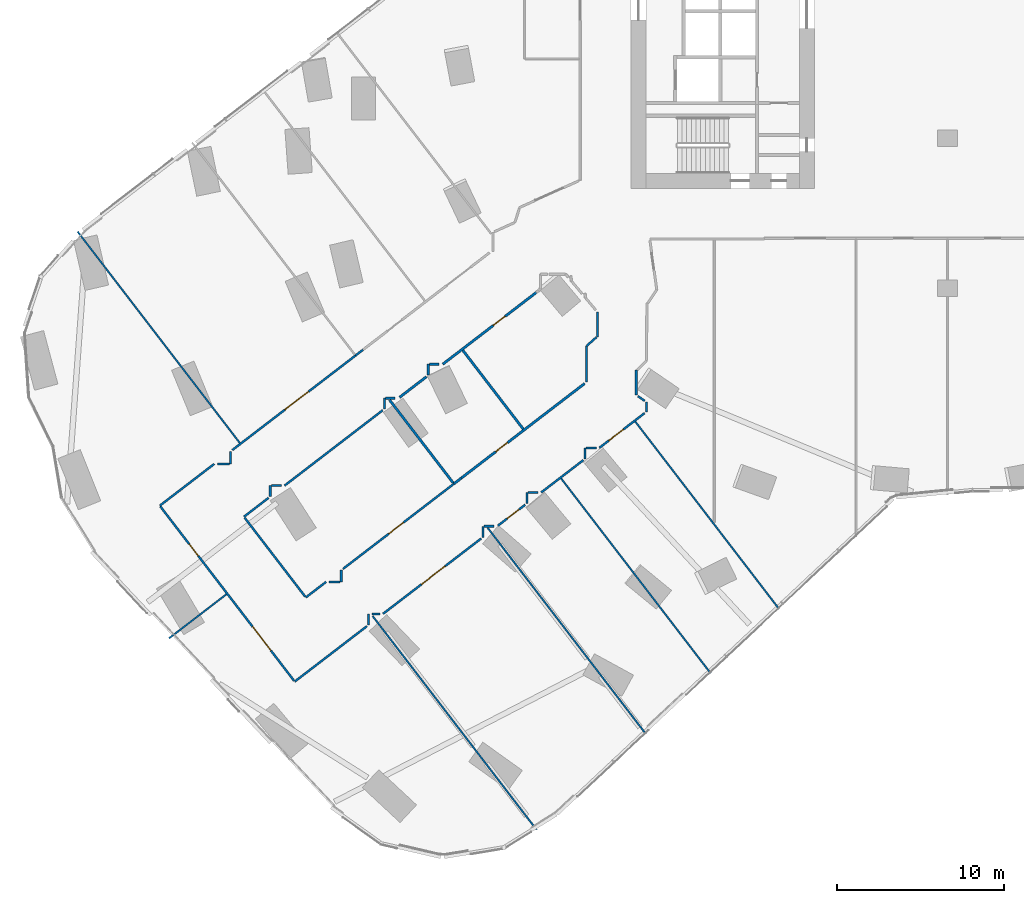
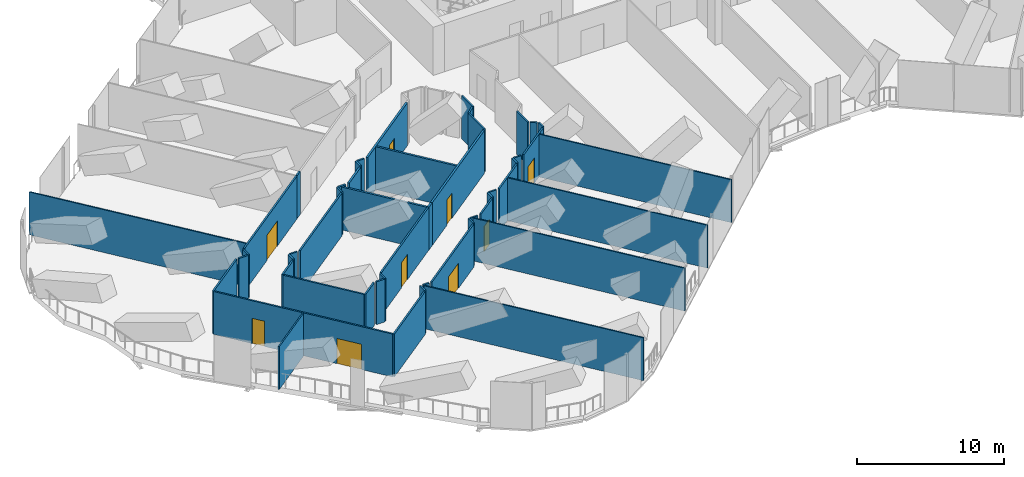
# One storey, part 22 of 32: 50 walls, 9 doors, 9 openings.
"""IFC4 building model written with IfcOpenShell, lengths in metres."""

from ifc_helpers import new_model, si_unit, direction, frame, frame_2d, origin, place, context, subcontext, project, spatial, rectangle, extrude, material, layer, layer_set, type_object, element, fill, save


model = new_model("IFC4")

# Units and contexts
model_context = context("Model", 3, precision=1e-05, world=origin(), true_north=direction((0.0, 1.0)))
body_context = subcontext(model_context, "Body", "Model", "MODEL_VIEW")
ifc_project = project(units=[si_unit("LENGTHUNIT", "METRE"), si_unit("AREAUNIT", "SQUARE_METRE"), si_unit("VOLUMEUNIT", "CUBIC_METRE"), si_unit("PLANEANGLEUNIT", "RADIAN"), si_unit("MASSUNIT", "GRAM", prefix="KILO")], contexts=[model_context])

# Site, building, storey
site_placement = place(None, origin())
site = spatial("IfcSite", under=ifc_project, at=site_placement, CompositionType="ELEMENT")
building_placement = place(site_placement, origin())
building = spatial("IfcBuilding", under=site, at=building_placement, Name="Orlundy Tower", CompositionType="ELEMENT")
storey_placement = place(building_placement, frame((0.0, 0.0, 33.300048828125)))
storey = spatial("IfcBuildingStorey", under=building, at=storey_placement, Name="L06", CompositionType="ELEMENT", Elevation=33.300048828125)

# Walls
ifc_material_1 = material(Name="Gypsum board partition")
ifc_layer_1 = layer(ifc_material_1, 0.10009765625)
ifc_layer_set_1 = layer_set([ifc_layer_1], Name="Floor partition 100")
wall_type_1 = type_object("IfcWallType", Name="Floor partition 100", PredefinedType="PARTITIONING", material=ifc_layer_set_1)
wall_1_placement = place(storey_placement, frame((-52.199951171875, -14.59912109375, 0.0), z_axis=(0.0, 0.0, 1.0), x_axis=(0.608803805545, -0.793320821833, 0.0)))
element("IfcWall", 1, at=wall_1_placement, inside=storey, type_object=wall_type_1, Name="wall-int-L06-015", PredefinedType="PARTITIONING", context=body_context, shape_type="SweptSolid", body=[
    extrude(rectangle(XDim=15.982177734375, YDim=0.10009765625, at=frame_2d((7.9912109375, 0.0))), origin(), (0.0, 0.0, 1.0), 3.56005859375),
])
wall_2_placement = place(storey_placement, frame((-34.5009765625, -37.6640625, 0.0), z_axis=(0.0, 0.0, 1.0), x_axis=(0.608768597096, -0.793347839973, 0.0)))
element("IfcWall", 2, at=wall_2_placement, inside=storey, type_object=wall_type_1, Name="wall-int-L06-016", PredefinedType="PARTITIONING", context=body_context, shape_type="SweptSolid", body=[
    extrude(rectangle(XDim=16.161865234375, YDim=0.10009765625, at=frame_2d((8.0810546875, 0.0))), origin(), (0.0, 0.0, 1.0), 3.56005859375),
])
wall_3_placement = place(storey_placement, frame((-27.59912109375, -32.367919921875, 0.0), z_axis=(0.0, 0.0, 1.0), x_axis=(0.608787633684, -0.793333232049, 0.0)))
element("IfcWall", 3, at=wall_3_placement, inside=storey, type_object=wall_type_1, Name="wall-int-L06-019", PredefinedType="PARTITIONING", context=body_context, shape_type="SweptSolid", body=[
    extrude(rectangle(XDim=15.599853515625, YDim=0.10009765625, at=frame_2d((7.7998046875, 0.0))), origin(), (0.0, 0.0, 1.0), 3.56005859375),
])
wall_4_placement = place(storey_placement, frame((-23.18994140625, -29.407958984375, 0.0), z_axis=(0.0, 0.0, 1.0), x_axis=(0.608771263508, -0.793345793917, 0.0)))
element("IfcWall", 4, at=wall_4_placement, inside=storey, type_object=wall_type_1, Name="wall-int-L06-022", PredefinedType="PARTITIONING", context=body_context, shape_type="SweptSolid", body=[
    extrude(rectangle(XDim=14.73779296875, YDim=0.10009765625, at=frame_2d((7.368896484375, 0.0))), origin(), (0.0, 0.0, 1.0), 3.56005859375),
])
wall_5_placement = place(storey_placement, frame((-18.741943359375, -25.9951171875, 0.0), z_axis=(0.0, 0.0, 1.0), x_axis=(0.608756044644, -0.79335747183, 0.0)))
element("IfcWall", 5, at=wall_5_placement, inside=storey, type_object=wall_type_1, Name="wall-int-L06-024", PredefinedType="PARTITIONING", context=body_context, shape_type="SweptSolid", body=[
    extrude(rectangle(XDim=14.181396484375, YDim=0.10009765625, at=frame_2d((7.0908203125, 0.0))), origin(), (0.0, 0.0, 1.0), 3.56005859375),
])
wall_6_placement = place(storey_placement, frame((-46.714111328125, -38.99609375, 0.0), z_axis=(0.0, 0.0, 1.0), x_axis=(0.793309958448, 0.608817961157, 0.0)))
element("IfcWall", 6, at=wall_6_placement, inside=storey, type_object=wall_type_1, Name="wall-int-L06-103", PredefinedType="PARTITIONING", context=body_context, shape_type="SweptSolid", body=[
    extrude(rectangle(XDim=4.33642578125, YDim=0.10009765625, at=frame_2d((2.168212890625, 0.0))), origin(), (0.0, 0.0, 1.0), 3.56005859375),
])

# Wall, openings, doors
ifc_material_2 = material(Name="Gypsum board partition, double layer")
ifc_layer_2 = layer(ifc_material_2, 0.125)
ifc_layer_set_2 = layer_set([ifc_layer_2], Name="Floor partition 125")
wall_type_2 = type_object("IfcWallType", Name="Floor partition 125", PredefinedType="PARTITIONING", material=ifc_layer_set_2)
wall_7_placement = place(storey_placement, frame((-39.218017578125, -41.5400390625, 0.0), z_axis=(0.0, 0.0, 1.0), x_axis=(-0.608705901591, 0.79339594489, 0.0)))
wall_7 = element("IfcWall", 7, at=wall_7_placement, inside=storey, type_object=wall_type_2, Name="wall-int-L06-013", PredefinedType="PARTITIONING", context=body_context, shape_type="SweptSolid", body=[
    extrude(rectangle(XDim=13.168701171875, YDim=0.125, at=frame_2d((6.58447265625, 0.0))), origin(), (0.0, 0.0, 1.0), 3.56005859375),
])
opening_1_placement = place(wall_7_placement, frame((2.28076171875, 0.0, 0.0)))
opening_1 = element("IfcOpeningElement", 8, at=opening_1_placement, cuts=wall_7, Name="Opening 07114", PredefinedType="OPENING", context=body_context, shape_type="SweptSolid", body=[
    extrude(rectangle(XDim=1.800048828125, YDim=2.10009765625, at=frame_2d((0.89990234375, 1.050048828125))), frame((0.0, 0.072509765625, 0.0), z_axis=(0.0, -1.0, 0.0), x_axis=(1.0, 0.0, 0.0)), (0.0, 0.0, 1.0), 0.14501953125),
])
opening_2_placement = place(wall_7_placement, frame((9.431396484375, 0.0, 0.0)))
opening_2 = element("IfcOpeningElement", 9, at=opening_2_placement, cuts=wall_7, Name="Opening 07115", PredefinedType="OPENING", context=body_context, shape_type="SweptSolid", body=[
    extrude(rectangle(XDim=0.89990234375, YDim=2.10009765625, at=frame_2d((0.449951171875, 1.050048828125))), frame((0.0, 0.072509765625, 0.0), z_axis=(0.0, -1.0, 0.0), x_axis=(1.0, 0.0, 0.0)), (0.0, 0.0, 1.0), 0.14501953125),
])
ifc_material_3 = material(Name="Timber door leaf", Category="wood")
door_type_1 = type_object("IfcDoorType", Name="Floor door double 1800 FD30S", OperationType="NOTDEFINED", PredefinedType="DOOR", material=ifc_material_3)
door_1_placement = place(opening_1_placement, origin())
door_1 = element("IfcDoor", 10, at=door_1_placement, inside=storey, type_object=door_type_1, Name="Door 07114", OperationType="DOUBLE_DOOR_SINGLE_SWING", OverallHeight=2.10009765625, OverallWidth=1.800048828125, PredefinedType="DOOR", context=body_context, shape_type="SweptSolid", body=[
    extrude(rectangle(XDim=1.800048828125, YDim=2.10009765625, at=frame_2d((0.89990234375, 1.050048828125))), frame((0.0, 0.02490234375, 0.0), z_axis=(0.0, -1.0, 0.0), x_axis=(1.0, 0.0, 0.0)), (0.0, 0.0, 1.0), 0.050048828125),
])
fill(opening_1, door_1)
ifc_material_4 = material(Name="Timber door leaf", Category="wood")
door_type_2 = type_object("IfcDoorType", Name="Floor door single 900 FD30S", OperationType="NOTDEFINED", PredefinedType="DOOR", material=ifc_material_4)
door_2_placement = place(opening_2_placement, origin())
door_2 = element("IfcDoor", 11, at=door_2_placement, inside=storey, type_object=door_type_2, Name="Door 07115", OperationType="SINGLE_SWING_RIGHT", OverallHeight=2.10009765625, OverallWidth=0.89990234375, PredefinedType="DOOR", context=body_context, shape_type="SweptSolid", body=[
    extrude(rectangle(XDim=0.89990234375, YDim=2.10009765625, at=frame_2d((0.449951171875, 1.050048828125))), frame((0.0, 0.02490234375, 0.0), z_axis=(0.0, -1.0, 0.0), x_axis=(1.0, 0.0, 0.0)), (0.0, 0.0, 1.0), 0.050048828125),
])
fill(opening_2, door_2)

# Walls
wall_8_placement = place(storey_placement, frame((-42.18505859375, -31.757080078125, 0.0), z_axis=(0.0, 0.0, 1.0), x_axis=(0.608799639809, -0.793324018651, 0.0)))
element("IfcWall", 12, at=wall_8_placement, inside=storey, type_object=wall_type_2, Name="wall-int-L06-014", PredefinedType="PARTITIONING", context=body_context, shape_type="SweptSolid", body=[
    extrude(rectangle(XDim=5.972412109375, YDim=0.125, at=frame_2d((2.986328125, 0.0))), origin(), (0.0, 0.0, 1.0), 3.56005859375),
])
wall_9_placement = place(storey_placement, frame((-18.5859375, -24.470947265625, 0.0), z_axis=(0.0, 0.0, 1.0), x_axis=(0.8260511917, -0.563595092855, 0.0)))
element("IfcWall", 13, at=wall_9_placement, inside=storey, type_object=wall_type_2, Name="wall-int-L06-036", PredefinedType="PARTITIONING", context=body_context, shape_type="SweptSolid", body=[
    extrude(rectangle(XDim=0.49853515625, YDim=0.125, at=frame_2d((0.249267578125, 0.0))), origin(), (0.0, 0.0, 1.0), 3.56005859375),
])
wall_10_placement = place(storey_placement, frame((-34.541015625, -37.531005859375, 0.0), z_axis=(0.0, 0.0, 1.0), x_axis=(1.0, 0.0, 0.0)))
element("IfcWall", 14, at=wall_10_placement, inside=storey, type_object=wall_type_2, Name="wall-int-L06-048", PredefinedType="PARTITIONING", context=body_context, shape_type="SweptSolid", body=[
    extrude(rectangle(XDim=0.47705078125, YDim=0.125, at=frame_2d((0.238525390625, 0.0))), origin(), (0.0, 0.0, 1.0), 3.56005859375),
])
wall_11_placement = place(storey_placement, frame((-37.10693359375, -35.60888671875, 0.0), z_axis=(0.0, 0.0, 1.0), x_axis=(1.0, 0.0, 0.0)))
element("IfcWall", 15, at=wall_11_placement, inside=storey, type_object=wall_type_2, Name="wall-int-L06-049", PredefinedType="PARTITIONING", context=body_context, shape_type="SweptSolid", body=[
    extrude(rectangle(XDim=0.659912109375, YDim=0.125, at=frame_2d((0.330078125, 0.0))), origin(), (0.0, 0.0, 1.0), 3.56005859375),
])
wall_12_placement = place(storey_placement, frame((-27.825927734375, -32.27490234375, 0.0), z_axis=(0.0, 0.0, 1.0), x_axis=(1.0, 0.0, 0.0)))
element("IfcWall", 16, at=wall_12_placement, inside=storey, type_object=wall_type_2, Name="wall-int-L06-051", PredefinedType="PARTITIONING", context=body_context, shape_type="SweptSolid", body=[
    extrude(rectangle(XDim=0.61083984375, YDim=0.125, at=frame_2d((0.305419921875, 0.0))), origin(), (0.0, 0.0, 1.0), 3.56005859375),
])
for number, where, z_axis, x_axis, name in (
    (17, (-25.18310546875, -30.24609375, 0.0), (0.0, 0.0, 1.0), (1.0, 0.0, 0.0), "wall-int-L06-053"),
    (18, (-40.5810546875, -29.8349609375, 0.0), (0.0, 0.0, 1.0), (1.0, 0.0, 0.0), "wall-int-L06-054"),
):
    element("IfcWall", number, at=place(storey_placement, frame(where, z_axis=z_axis, x_axis=x_axis)), inside=storey, type_object=wall_type_2, Name=name, PredefinedType="PARTITIONING", context=body_context, shape_type="SweptSolid", body=[
        extrude(rectangle(XDim=0.613037109375, YDim=0.125, at=frame_2d((0.306640625, 0.0))), origin(), (0.0, 0.0, 1.0), 3.56005859375),
    ])
wall_13_placement = place(storey_placement, frame((-43.821044921875, -28.533935546875, 0.0), z_axis=(0.0, 0.0, 1.0), x_axis=(1.0, 0.0, 0.0)))
element("IfcWall", 19, at=wall_13_placement, inside=storey, type_object=wall_type_2, Name="wall-int-L06-055", PredefinedType="PARTITIONING", context=body_context, shape_type="SweptSolid", body=[
    extrude(rectangle(XDim=0.738037109375, YDim=0.125, at=frame_2d((0.369140625, 0.0))), origin(), (0.0, 0.0, 1.0), 3.56005859375),
])
wall_14_placement = place(storey_placement, frame((-21.69189453125, -27.568115234375, 0.0), z_axis=(0.0, 0.0, 1.0), x_axis=(1.0, 0.0, 0.0)))
element("IfcWall", 20, at=wall_14_placement, inside=storey, type_object=wall_type_2, Name="wall-int-L06-056", PredefinedType="PARTITIONING", context=body_context, shape_type="SweptSolid", body=[
    extrude(rectangle(XDim=0.61181640625, YDim=0.125, at=frame_2d((0.305908203125, 0.0))), origin(), (0.0, 0.0, 1.0), 3.56005859375),
])
wall_15_placement = place(storey_placement, frame((-21.660888671875, -21.45703125, 0.0), z_axis=(0.0, 0.0, 1.0), x_axis=(0.746332821082, 0.665572926264, 0.0)))
element("IfcWall", 21, at=wall_15_placement, inside=storey, type_object=wall_type_2, Name="wall-int-L06-069", PredefinedType="PARTITIONING", context=body_context, shape_type="SweptSolid", body=[
    extrude(rectangle(XDim=0.7890625, YDim=0.125, at=frame_2d((0.39453125, 0.0))), origin(), (0.0, 0.0, 1.0), 3.56005859375),
])
wall_16_placement = place(storey_placement, frame((-39.175048828125, -41.593994140625, 0.0), z_axis=(0.0, 0.0, 1.0), x_axis=(0.793282735045, 0.608853432511, 0.0)))
element("IfcWall", 22, at=wall_16_placement, inside=storey, type_object=wall_type_2, Name="wall-int-L06-094", PredefinedType="PARTITIONING", context=body_context, shape_type="SweptSolid", body=[
    extrude(rectangle(XDim=5.4658203125, YDim=0.125, at=frame_2d((2.73291015625, 0.0))), origin(), (0.0, 0.0, 1.0), 3.56005859375),
])

# Wall, opening, door
wall_17_placement = place(storey_placement, frame((-27.990966796875, -33.011962890625, 0.0), z_axis=(0.0, 0.0, 1.0), x_axis=(-0.793332599064, -0.608788458549, 0.0)))
wall_17 = element("IfcWall", 23, at=wall_17_placement, inside=storey, type_object=wall_type_2, Name="wall-int-L06-095", PredefinedType="PARTITIONING", context=body_context, shape_type="SweptSolid", body=[
    extrude(rectangle(XDim=7.423095703125, YDim=0.125, at=frame_2d((3.71142578125, 0.0))), origin(), (0.0, 0.0, 1.0), 3.56005859375),
])
opening_3_placement = place(wall_17_placement, frame((2.723388671875, 0.0, 0.0)))
opening_3 = element("IfcOpeningElement", 24, at=opening_3_placement, cuts=wall_17, Name="Opening 07111", PredefinedType="OPENING", context=body_context, shape_type="SweptSolid", body=[
    extrude(rectangle(XDim=1.800048828125, YDim=2.10009765625, at=frame_2d((0.89990234375, 1.050048828125))), frame((0.0, 0.072509765625, 0.0), z_axis=(0.0, -1.0, 0.0), x_axis=(1.0, 0.0, 0.0)), (0.0, 0.0, 1.0), 0.14501953125),
])
door_3_placement = place(opening_3_placement, origin())
door_3 = element("IfcDoor", 25, at=door_3_placement, inside=storey, type_object=door_type_1, Name="Door 07111", OperationType="DOUBLE_DOOR_SINGLE_SWING", OverallHeight=2.10009765625, OverallWidth=1.800048828125, PredefinedType="DOOR", context=body_context, shape_type="SweptSolid", body=[
    extrude(rectangle(XDim=1.800048828125, YDim=2.10009765625, at=frame_2d((0.89990234375, 1.050048828125))), frame((0.0, 0.02490234375, 0.0), z_axis=(0.0, -1.0, 0.0), x_axis=(1.0, 0.0, 0.0)), (0.0, 0.0, 1.0), 0.050048828125),
])
fill(opening_3, door_3)

wall_18_placement = place(storey_placement, frame((-25.345947265625, -30.98193359375, 0.0), z_axis=(0.0, 0.0, 1.0), x_axis=(-0.79329604463, -0.608836090893, 0.0)))
wall_18 = element("IfcWall", 26, at=wall_18_placement, inside=storey, type_object=wall_type_2, Name="wall-int-L06-096", PredefinedType="PARTITIONING", context=body_context, shape_type="SweptSolid", body=[
    extrude(rectangle(XDim=2.064697265625, YDim=0.125, at=frame_2d((1.0322265625, 0.0))), origin(), (0.0, 0.0, 1.0), 3.56005859375),
])
opening_4_placement = place(wall_18_placement, frame((0.473388671875, 0.0, 0.0)))
opening_4 = element("IfcOpeningElement", 27, at=opening_4_placement, cuts=wall_18, Name="Opening 07110", PredefinedType="OPENING", context=body_context, shape_type="SweptSolid", body=[
    extrude(rectangle(XDim=0.89990234375, YDim=2.10009765625, at=frame_2d((0.449951171875, 1.050048828125))), frame((0.0, 0.072509765625, 0.0), z_axis=(0.0, -1.0, 0.0), x_axis=(1.0, 0.0, 0.0)), (0.0, 0.0, 1.0), 0.14501953125),
])
door_4_placement = place(opening_4_placement, origin())
door_4 = element("IfcDoor", 28, at=door_4_placement, inside=storey, type_object=door_type_2, Name="Door 07110", OperationType="SINGLE_SWING_LEFT", OverallHeight=2.10009765625, OverallWidth=0.89990234375, PredefinedType="DOOR", context=body_context, shape_type="SweptSolid", body=[
    extrude(rectangle(XDim=0.89990234375, YDim=2.10009765625, at=frame_2d((0.449951171875, 1.050048828125))), frame((0.0, 0.02490234375, 0.0), z_axis=(0.0, -1.0, 0.0), x_axis=(1.0, 0.0, 0.0)), (0.0, 0.0, 1.0), 0.050048828125),
])
fill(opening_4, door_4)

# Wall
wall_19_placement = place(storey_placement, frame((-24.385986328125, -30.24609375, 0.0), z_axis=(0.0, 0.0, 1.0), x_axis=(0.793523683955, 0.60853936849, 0.0)))
element("IfcWall", 29, at=wall_19_placement, inside=storey, type_object=wall_type_2, Name="wall-int-L06-097", PredefinedType="PARTITIONING", context=body_context, shape_type="SweptSolid", body=[
    extrude(rectangle(XDim=3.1845703125, YDim=0.125, at=frame_2d((1.59228515625, 0.0))), origin(), (0.0, 0.0, 1.0), 3.56005859375),
])

# Wall, opening, door
wall_20_placement = place(storey_placement, frame((-18.181884765625, -25.486083984375, 0.0), z_axis=(0.0, 0.0, 1.0), x_axis=(-0.793435168534, -0.608654773523, 0.0)))
wall_20 = element("IfcWall", 30, at=wall_20_placement, inside=storey, type_object=wall_type_2, Name="wall-int-L06-098", PredefinedType="PARTITIONING", context=body_context, shape_type="SweptSolid", body=[
    extrude(rectangle(XDim=3.420654296875, YDim=0.125, at=frame_2d((1.71044921875, 0.0))), origin(), (0.0, 0.0, 1.0), 3.56005859375),
])
opening_5_placement = place(wall_20_placement, frame((1.60400390625, 0.0, 0.0)))
opening_5 = element("IfcOpeningElement", 31, at=opening_5_placement, cuts=wall_20, Name="Opening 07109", PredefinedType="OPENING", context=body_context, shape_type="SweptSolid", body=[
    extrude(rectangle(XDim=1.10009765625, YDim=2.10009765625, at=frame_2d((0.550048828125, 1.050048828125))), frame((0.0, 0.072509765625, 0.0), z_axis=(0.0, -1.0, 0.0), x_axis=(1.0, 0.0, 0.0)), (0.0, 0.0, 1.0), 0.14501953125),
])
ifc_material_5 = material(Name="Timber door leaf", Category="wood")
door_type_3 = type_object("IfcDoorType", Name="Floor door xwide 1100 FD30S", OperationType="NOTDEFINED", PredefinedType="DOOR", material=ifc_material_5)
door_5_placement = place(opening_5_placement, origin())
door_5 = element("IfcDoor", 32, at=door_5_placement, inside=storey, type_object=door_type_3, Name="Door 07109", OperationType="SINGLE_SWING_RIGHT", OverallHeight=2.10009765625, OverallWidth=1.10009765625, PredefinedType="DOOR", context=body_context, shape_type="SweptSolid", body=[
    extrude(rectangle(XDim=1.10009765625, YDim=2.10009765625, at=frame_2d((0.550048828125, 1.050048828125))), frame((0.0, 0.02490234375, 0.0), z_axis=(0.0, -1.0, 0.0), x_axis=(1.0, 0.0, 0.0)), (0.0, 0.0, 1.0), 0.050048828125),
])
fill(opening_5, door_5)

# Wall
wall_21_placement = place(storey_placement, frame((-38.509033203125, -36.544921875, 0.0), z_axis=(0.0, 0.0, 1.0), x_axis=(0.793598680467, 0.608441561994, 0.0)))
element("IfcWall", 33, at=wall_21_placement, inside=storey, type_object=wall_type_2, Name="wall-int-L06-099", PredefinedType="PARTITIONING", context=body_context, shape_type="SweptSolid", body=[
    extrude(rectangle(XDim=1.534912109375, YDim=0.125, at=frame_2d((0.767578125, 0.0))), origin(), (0.0, 0.0, 1.0), 3.56005859375),
])

# Wall, opening, door
wall_22_placement = place(storey_placement, frame((-36.282958984375, -34.8359375, 0.0), z_axis=(0.0, 0.0, 1.0), x_axis=(0.793406369961, 0.608692313165, 0.0)))
wall_22 = element("IfcWall", 34, at=wall_22_placement, inside=storey, type_object=wall_type_2, Name="wall-int-L06-100", PredefinedType="PARTITIONING", context=body_context, shape_type="SweptSolid", body=[
    extrude(rectangle(XDim=8.3916015625, YDim=0.125, at=frame_2d((4.19580078125, 0.0))), origin(), (0.0, 0.0, 1.0), 3.56005859375),
])
opening_6_placement = place(wall_22_placement, frame((3.473388671875, 0.0, 0.0)))
opening_6 = element("IfcOpeningElement", 35, at=opening_6_placement, cuts=wall_22, Name="Opening 07113", PredefinedType="OPENING", context=body_context, shape_type="SweptSolid", body=[
    extrude(rectangle(XDim=1.10009765625, YDim=2.10009765625, at=frame_2d((0.550048828125, 1.050048828125))), frame((0.0, 0.072509765625, 0.0), z_axis=(0.0, -1.0, 0.0), x_axis=(1.0, 0.0, 0.0)), (0.0, 0.0, 1.0), 0.14501953125),
])
door_6_placement = place(opening_6_placement, origin())
door_6 = element("IfcDoor", 36, at=door_6_placement, inside=storey, type_object=door_type_3, Name="Door 07113", OperationType="SINGLE_SWING_LEFT", OverallHeight=2.10009765625, OverallWidth=1.10009765625, PredefinedType="DOOR", context=body_context, shape_type="SweptSolid", body=[
    extrude(rectangle(XDim=1.10009765625, YDim=2.10009765625, at=frame_2d((0.550048828125, 1.050048828125))), frame((0.0, 0.02490234375, 0.0), z_axis=(0.0, -1.0, 0.0), x_axis=(1.0, 0.0, 0.0)), (0.0, 0.0, 1.0), 0.050048828125),
])
fill(opening_6, door_6)

# Walls
wall_23_placement = place(storey_placement, frame((-42.222900390625, -31.705078125, 0.0), z_axis=(0.0, 0.0, 1.0), x_axis=(0.793135510501, 0.609045205204, 0.0)))
element("IfcWall", 37, at=wall_23_placement, inside=storey, type_object=wall_type_2, Name="wall-int-L06-104", PredefinedType="PARTITIONING", context=body_context, shape_type="SweptSolid", body=[
    extrude(rectangle(XDim=1.862060546875, YDim=0.125, at=frame_2d((0.93115234375, 0.0))), origin(), (0.0, 0.0, 1.0), 3.56005859375),
])
wall_24_placement = place(storey_placement, frame((-39.783935546875, -29.8349609375, 0.0), z_axis=(0.0, 0.0, 1.0), x_axis=(0.793235050969, 0.608915555652, 0.0)))
element("IfcWall", 38, at=wall_24_placement, inside=storey, type_object=wall_type_2, Name="wall-int-L06-105", PredefinedType="PARTITIONING", context=body_context, shape_type="SweptSolid", body=[
    extrude(rectangle(XDim=7.42138671875, YDim=0.125, at=frame_2d((3.710693359375, 0.0))), origin(), (0.0, 0.0, 1.0), 3.56005859375),
])
wall_25_placement = place(storey_placement, frame((-44.0048828125, -28.534912109375, 0.0), z_axis=(0.0, 0.0, 1.0), x_axis=(-0.793449826547, -0.608635665035, 0.0)))
element("IfcWall", 39, at=wall_25_placement, inside=storey, type_object=wall_type_2, Name="wall-int-L06-108", PredefinedType="PARTITIONING", context=body_context, shape_type="SweptSolid", body=[
    extrude(rectangle(XDim=4.11767578125, YDim=0.125, at=frame_2d((2.058837890625, 0.0))), origin(), (0.0, 0.0, 1.0), 3.56005859375),
])

# Wall, opening, door
wall_26_placement = place(storey_placement, frame((-42.9189453125, -27.701904296875, 0.0), z_axis=(0.0, 0.0, 1.0), x_axis=(0.793470923698, 0.60860816068, 0.0)))
wall_26 = element("IfcWall", 40, at=wall_26_placement, inside=storey, type_object=wall_type_2, Name="wall-int-L06-109", PredefinedType="PARTITIONING", context=body_context, shape_type="SweptSolid", body=[
    extrude(rectangle(XDim=9.314697265625, YDim=0.125, at=frame_2d((4.6572265625, 0.0))), origin(), (0.0, 0.0, 1.0), 3.56005859375),
])
opening_7_placement = place(wall_26_placement, frame((3.96435546875, 0.0, 0.0)))
opening_7 = element("IfcOpeningElement", 41, at=opening_7_placement, cuts=wall_26, Name="Opening 07118", PredefinedType="OPENING", context=body_context, shape_type="SweptSolid", body=[
    extrude(rectangle(XDim=1.800048828125, YDim=2.10009765625, at=frame_2d((0.89990234375, 1.050048828125))), frame((0.0, 0.072509765625, 0.0), z_axis=(0.0, -1.0, 0.0), x_axis=(1.0, 0.0, 0.0)), (0.0, 0.0, 1.0), 0.14501953125),
])
door_7_placement = place(opening_7_placement, origin())
door_7 = element("IfcDoor", 42, at=door_7_placement, inside=storey, type_object=door_type_1, Name="Door 07118", OperationType="DOUBLE_DOOR_SINGLE_SWING", OverallHeight=2.10009765625, OverallWidth=1.800048828125, PredefinedType="DOOR", context=body_context, shape_type="SweptSolid", body=[
    extrude(rectangle(XDim=1.800048828125, YDim=2.10009765625, at=frame_2d((0.89990234375, 1.050048828125))), frame((0.0, 0.02490234375, 0.0), z_axis=(0.0, -1.0, 0.0), x_axis=(1.0, 0.0, 0.0)), (0.0, 0.0, 1.0), 0.050048828125),
])
fill(opening_7, door_7)

# Walls
wall_27_placement = place(storey_placement, frame((-35.530029296875, -22.031982421875, 0.0), z_axis=(0.0, 0.0, 1.0), x_axis=(0.792960485916, 0.609273065035, 0.0)))
element("IfcWall", 43, at=wall_27_placement, inside=storey, type_object=wall_type_2, Name="wall-int-L06-111", PredefinedType="PARTITIONING", context=body_context, shape_type="SweptSolid", body=[
    extrude(rectangle(XDim=0.566162109375, YDim=0.125, at=frame_2d((0.283203125, 0.0))), origin(), (0.0, 0.0, 1.0), 3.56005859375),
])
wall_28_placement = place(storey_placement, frame((-18.080078125, -25.406982421875, 0.0), z_axis=(0.0, 0.0, 1.0), x_axis=(0.005398592424, 0.999985427494, 0.0)))
element("IfcWall", 44, at=wall_28_placement, inside=storey, type_object=wall_type_2, Name="wall-int-L06-128", PredefinedType="PARTITIONING", context=body_context, shape_type="SweptSolid", body=[
    extrude(rectangle(XDim=0.587890625, YDim=0.125, at=frame_2d((0.2939453125, 0.0))), origin(), (0.0, 0.0, 1.0), 3.56005859375),
])
wall_29_placement = place(storey_placement, frame((-21.672119140625, -23.625, 0.0), z_axis=(0.0, 0.0, 1.0), x_axis=(0.005180110678, 0.999986583137, 0.0)))
element("IfcWall", 45, at=wall_29_placement, inside=storey, type_object=wall_type_2, Name="wall-int-L06-130", PredefinedType="PARTITIONING", context=body_context, shape_type="SweptSolid", body=[
    extrude(rectangle(XDim=2.16796875, YDim=0.125, at=frame_2d((1.083984375, 0.0))), origin(), (0.0, 0.0, 1.0), 3.56005859375),
])
wall_30_placement = place(storey_placement, frame((-18.68408203125, -24.405029296875, 0.0), z_axis=(0.0, 0.0, 1.0), x_axis=(0.0, 1.0, 0.0)))
element("IfcWall", 46, at=wall_30_placement, inside=storey, type_object=wall_type_2, Name="wall-int-L06-153", PredefinedType="PARTITIONING", context=body_context, shape_type="SweptSolid", body=[
    extrude(rectangle(XDim=1.510986328125, YDim=0.125, at=frame_2d((0.75537109375, 0.0))), origin(), (0.0, 0.0, 1.0), 3.56005859375),
])
wall_31_placement = place(storey_placement, frame((-21.009033203125, -20.931884765625, 0.0), z_axis=(0.0, 0.0, 1.0), x_axis=(0.0, 1.0, 0.0)))
element("IfcWall", 47, at=wall_31_placement, inside=storey, type_object=wall_type_2, Name="wall-int-L06-154", PredefinedType="PARTITIONING", context=body_context, shape_type="SweptSolid", body=[
    extrude(rectangle(XDim=1.5048828125, YDim=0.125, at=frame_2d((0.75244140625, 0.0))), origin(), (0.0, 0.0, 1.0), 3.56005859375),
])
for number, where, z_axis, x_axis, name in (
    (48, (-21.75390625, -28.22705078125, 0.0), (0.0, 0.0, 1.0), (0.0, 1.0, 0.0), "wall-int-L06-155"),
    (49, (-25.2451171875, -30.905029296875, 0.0), (0.0, 0.0, 1.0), (0.0, 1.0, 0.0), "wall-int-L06-158"),
):
    element("IfcWall", number, at=place(storey_placement, frame(where, z_axis=z_axis, x_axis=x_axis)), inside=storey, type_object=wall_type_2, Name=name, PredefinedType="PARTITIONING", context=body_context, shape_type="SweptSolid", body=[
        extrude(rectangle(XDim=0.658935546875, YDim=0.125, at=frame_2d((0.32958984375, 0.0))), origin(), (0.0, 0.0, 1.0), 3.56005859375),
    ])
wall_32_placement = place(storey_placement, frame((-27.888916015625, -32.93408203125, 0.0), z_axis=(0.0, 0.0, 1.0), x_axis=(0.0, 1.0, 0.0)))
element("IfcWall", 50, at=wall_32_placement, inside=storey, type_object=wall_type_2, Name="wall-int-L06-162", PredefinedType="PARTITIONING", context=body_context, shape_type="SweptSolid", body=[
    extrude(rectangle(XDim=0.6591796875, YDim=0.125, at=frame_2d((0.32958984375, 0.0))), origin(), (0.0, 0.0, 1.0), 3.56005859375),
])
for number, where, z_axis, x_axis, name in (
    (51, (-33.7939453125, -25.239013671875, 0.0), (0.0, 0.0, 1.0), (0.0, 1.0, 0.0), "wall-int-L06-164"),
    (52, (-34.738037109375, -38.18994140625, 0.0), (0.0, 0.0, 1.0), (0.0, 1.0, 0.0), "wall-int-L06-165"),
):
    element("IfcWall", number, at=place(storey_placement, frame(where, z_axis=z_axis, x_axis=x_axis)), inside=storey, type_object=wall_type_2, Name=name, PredefinedType="PARTITIONING", context=body_context, shape_type="SweptSolid", body=[
        extrude(rectangle(XDim=0.658935546875, YDim=0.125, at=frame_2d((0.32958984375, 0.0))), origin(), (0.0, 0.0, 1.0), 3.56005859375),
    ])
wall_33_placement = place(storey_placement, frame((-36.384033203125, -35.60888671875, 0.0), z_axis=(0.0, 0.0, 1.0), x_axis=(0.0, 1.0, 0.0)))
element("IfcWall", 53, at=wall_33_placement, inside=storey, type_object=wall_type_2, Name="wall-int-L06-166", PredefinedType="PARTITIONING", context=body_context, shape_type="SweptSolid", body=[
    extrude(rectangle(XDim=0.69580078125, YDim=0.125, at=frame_2d((0.347900390625, 0.0))), origin(), (0.0, 0.0, 1.0), 3.56005859375),
])
wall_34_placement = place(storey_placement, frame((-40.64306640625, -30.493896484375, 0.0), z_axis=(0.0, 0.0, 1.0), x_axis=(0.0, 1.0, 0.0)))
element("IfcWall", 54, at=wall_34_placement, inside=storey, type_object=wall_type_2, Name="wall-int-L06-167", PredefinedType="PARTITIONING", context=body_context, shape_type="SweptSolid", body=[
    extrude(rectangle(XDim=0.658935546875, YDim=0.125, at=frame_2d((0.32958984375, 0.0))), origin(), (0.0, 0.0, 1.0), 3.56005859375),
])
wall_35_placement = place(storey_placement, frame((-43.02001953125, -28.533935546875, 0.0), z_axis=(0.0, 0.0, 1.0), x_axis=(0.0, 1.0, 0.0)))
element("IfcWall", 55, at=wall_35_placement, inside=storey, type_object=wall_type_2, Name="wall-int-L06-168", PredefinedType="PARTITIONING", context=body_context, shape_type="SweptSolid", body=[
    extrude(rectangle(XDim=0.7548828125, YDim=0.125, at=frame_2d((0.37744140625, 0.0))), origin(), (0.0, 0.0, 1.0), 3.56005859375),
])
ifc_material_6 = material(Name="Blockwork shaft wall", Category="masonry")
ifc_layer_3 = layer(ifc_material_6, 0.14990234375)
ifc_layer_set_3 = layer_set([ifc_layer_3], Name="Floor shaft wall 150")
wall_type_3 = type_object("IfcWallType", Name="Floor shaft wall 150", PredefinedType="PARTITIONING", material=ifc_layer_set_3)
wall_36_placement = place(storey_placement, frame((-33.48193359375, -24.700927734375, 0.0), z_axis=(0.0, 0.0, 1.0), x_axis=(0.608730316576, -0.793377212731, 0.0)))
element("IfcWall", 56, at=wall_36_placement, inside=storey, type_object=wall_type_3, Name="wall-int-L06-018", PredefinedType="PARTITIONING", context=body_context, shape_type="SweptSolid", body=[
    extrude(rectangle(XDim=6.2607421875, YDim=0.14990234375, at=frame_2d((3.13037109375, 0.0))), origin(), (0.0, 0.0, 1.0), 3.56005859375),
])
wall_37_placement = place(storey_placement, frame((-29.0869140625, -21.721923828125, 0.0), z_axis=(0.0, 0.0, 1.0), x_axis=(0.608744291625, -0.793366489975, 0.0)))
element("IfcWall", 57, at=wall_37_placement, inside=storey, type_object=wall_type_3, Name="wall-int-L06-021", PredefinedType="PARTITIONING", context=body_context, shape_type="SweptSolid", body=[
    extrude(rectangle(XDim=5.947998046875, YDim=0.14990234375, at=frame_2d((2.97412109375, 0.0))), origin(), (0.0, 0.0, 1.0), 3.56005859375),
])
wall_38_placement = place(storey_placement, frame((-33.73095703125, -24.580078125, 0.0), z_axis=(0.0, 0.0, 1.0), x_axis=(1.0, 0.0, 0.0)))
element("IfcWall", 58, at=wall_38_placement, inside=storey, type_object=wall_type_3, Name="wall-int-L06-062", PredefinedType="PARTITIONING", context=body_context, shape_type="SweptSolid", body=[
    extrude(rectangle(XDim=0.572998046875, YDim=0.14990234375, at=frame_2d((0.28662109375, 0.0))), origin(), (0.0, 0.0, 1.0), 3.56005859375),
])
wall_39_placement = place(storey_placement, frame((-31.074951171875, -22.551025390625, 0.0), z_axis=(0.0, 0.0, 1.0), x_axis=(1.0, 0.0, 0.0)))
element("IfcWall", 59, at=wall_39_placement, inside=storey, type_object=wall_type_3, Name="wall-int-L06-067", PredefinedType="PARTITIONING", context=body_context, shape_type="SweptSolid", body=[
    extrude(rectangle(XDim=0.56201171875, YDim=0.14990234375, at=frame_2d((0.281005859375, 0.0))), origin(), (0.0, 0.0, 1.0), 3.56005859375),
])

# Wall, opening, door
wall_40_placement = place(storey_placement, frame((-29.176025390625, -29.382080078125, 0.0), z_axis=(0.0, 0.0, 1.0), x_axis=(0.793471421385, 0.608607511821, 0.0)))
wall_40 = element("IfcWall", 60, at=wall_40_placement, inside=storey, type_object=wall_type_3, Name="wall-int-L06-101", PredefinedType="PARTITIONING", context=body_context, shape_type="SweptSolid", body=[
    extrude(rectangle(XDim=9.31982421875, YDim=0.14990234375, at=frame_2d((4.659912109375, 0.0))), origin(), (0.0, 0.0, 1.0), 3.56005859375),
])
opening_8_placement = place(wall_40_placement, frame((2.60009765625, 0.0, 0.0)))
opening_8 = element("IfcOpeningElement", 61, at=opening_8_placement, cuts=wall_40, Name="Opening 07108", PredefinedType="OPENING", context=body_context, shape_type="SweptSolid", body=[
    extrude(rectangle(XDim=0.89990234375, YDim=2.10009765625, at=frame_2d((0.449951171875, 1.050048828125))), frame((0.0, 0.0849609375, 0.0), z_axis=(0.0, -1.0, 0.0), x_axis=(1.0, 0.0, 0.0)), (0.0, 0.0, 1.0), 0.169921875),
])
ifc_material_7 = material(Name="Timber door leaf", Category="wood")
door_type_4 = type_object("IfcDoorType", Name="Floor door single 900 FD60", OperationType="NOTDEFINED", PredefinedType="DOOR", material=ifc_material_7)
door_8_placement = place(opening_8_placement, origin())
door_8 = element("IfcDoor", 62, at=door_8_placement, inside=storey, type_object=door_type_4, Name="Door 07108", OperationType="SINGLE_SWING_LEFT", OverallHeight=2.10009765625, OverallWidth=0.89990234375, PredefinedType="DOOR", context=body_context, shape_type="SweptSolid", body=[
    extrude(rectangle(XDim=0.89990234375, YDim=2.10009765625, at=frame_2d((0.449951171875, 1.050048828125))), frame((0.0, 0.02490234375, 0.0), z_axis=(0.0, -1.0, 0.0), x_axis=(1.0, 0.0, 0.0)), (0.0, 0.0, 1.0), 0.050048828125),
])
fill(opening_8, door_8)

# Walls
wall_41_placement = place(storey_placement, frame((-29.625, -29.72705078125, 0.0), z_axis=(0.0, 0.0, 1.0), x_axis=(0.792960485916, 0.609273065035, 0.0)))
element("IfcWall", 63, at=wall_41_placement, inside=storey, type_object=wall_type_3, Name="wall-int-L06-102", PredefinedType="PARTITIONING", context=body_context, shape_type="SweptSolid", body=[
    extrude(rectangle(XDim=0.566162109375, YDim=0.14990234375, at=frame_2d((0.283203125, 0.0))), origin(), (0.0, 0.0, 1.0), 3.56005859375),
])
wall_42_placement = place(storey_placement, frame((-32.888916015625, -24.5439453125, 0.0), z_axis=(0.0, 0.0, 1.0), x_axis=(0.793242097783, 0.608906375648, 0.0)))
element("IfcWall", 64, at=wall_42_placement, inside=storey, type_object=wall_type_3, Name="wall-int-L06-106", PredefinedType="PARTITIONING", context=body_context, shape_type="SweptSolid", body=[
    extrude(rectangle(XDim=2.03955078125, YDim=0.14990234375, at=frame_2d((1.019775390625, 0.0))), origin(), (0.0, 0.0, 1.0), 3.56005859375),
])

# Wall, opening, door
wall_43_placement = place(storey_placement, frame((-24.68505859375, -18.25, 0.0), z_axis=(0.0, 0.0, 1.0), x_axis=(-0.793443961698, -0.608643310687, 0.0)))
wall_43 = element("IfcWall", 65, at=wall_43_placement, inside=storey, type_object=wall_type_3, Name="wall-int-L06-107", PredefinedType="PARTITIONING", context=body_context, shape_type="SweptSolid", body=[
    extrude(rectangle(XDim=7.066650390625, YDim=0.14990234375, at=frame_2d((3.533203125, 0.0))), origin(), (0.0, 0.0, 1.0), 3.56005859375),
])
opening_9_placement = place(wall_43_placement, frame((2.35009765625, 0.0, 0.0)))
opening_9 = element("IfcOpeningElement", 66, at=opening_9_placement, cuts=wall_43, Name="Opening 07112", PredefinedType="OPENING", context=body_context, shape_type="SweptSolid", body=[
    extrude(rectangle(XDim=0.89990234375, YDim=2.10009765625, at=frame_2d((0.449951171875, 1.050048828125))), frame((0.0, 0.0849609375, 0.0), z_axis=(0.0, -1.0, 0.0), x_axis=(1.0, 0.0, 0.0)), (0.0, 0.0, 1.0), 0.169921875),
])
door_9_placement = place(opening_9_placement, origin())
door_9 = element("IfcDoor", 67, at=door_9_placement, inside=storey, type_object=door_type_4, Name="Door 07112", OperationType="SINGLE_SWING_LEFT", OverallHeight=2.10009765625, OverallWidth=0.89990234375, PredefinedType="DOOR", context=body_context, shape_type="SweptSolid", body=[
    extrude(rectangle(XDim=0.89990234375, YDim=2.10009765625, at=frame_2d((0.449951171875, 1.050048828125))), frame((0.0, 0.02490234375, 0.0), z_axis=(0.0, -1.0, 0.0), x_axis=(1.0, 0.0, 0.0)), (0.0, 0.0, 1.0), 0.050048828125),
])
fill(opening_9, door_9)

# Wall
wall_44_placement = place(storey_placement, frame((-31.14990234375, -23.208984375, 0.0), z_axis=(0.0, 0.0, 1.0), x_axis=(0.0, 1.0, 0.0)))
element("IfcWall", 68, at=wall_44_placement, inside=storey, type_object=wall_type_3, Name="wall-int-L06-163", PredefinedType="PARTITIONING", context=body_context, shape_type="SweptSolid", body=[
    extrude(rectangle(XDim=0.657958984375, YDim=0.14990234375, at=frame_2d((0.3291015625, 0.0))), origin(), (0.0, 0.0, 1.0), 3.56005859375),
])

save(model, "model.ifc")
